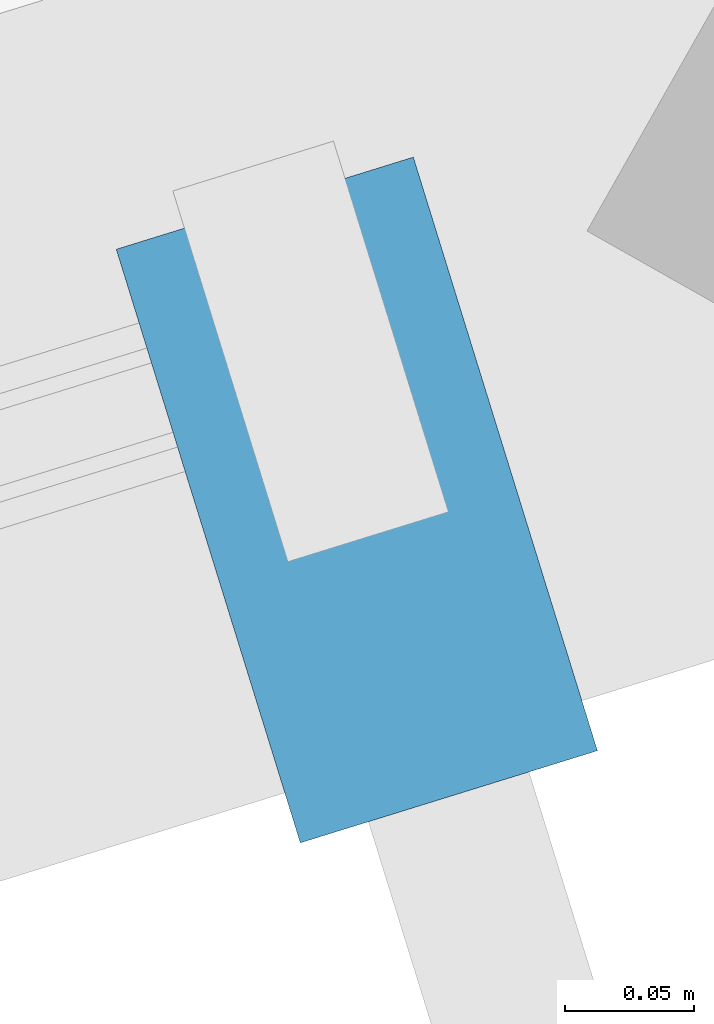
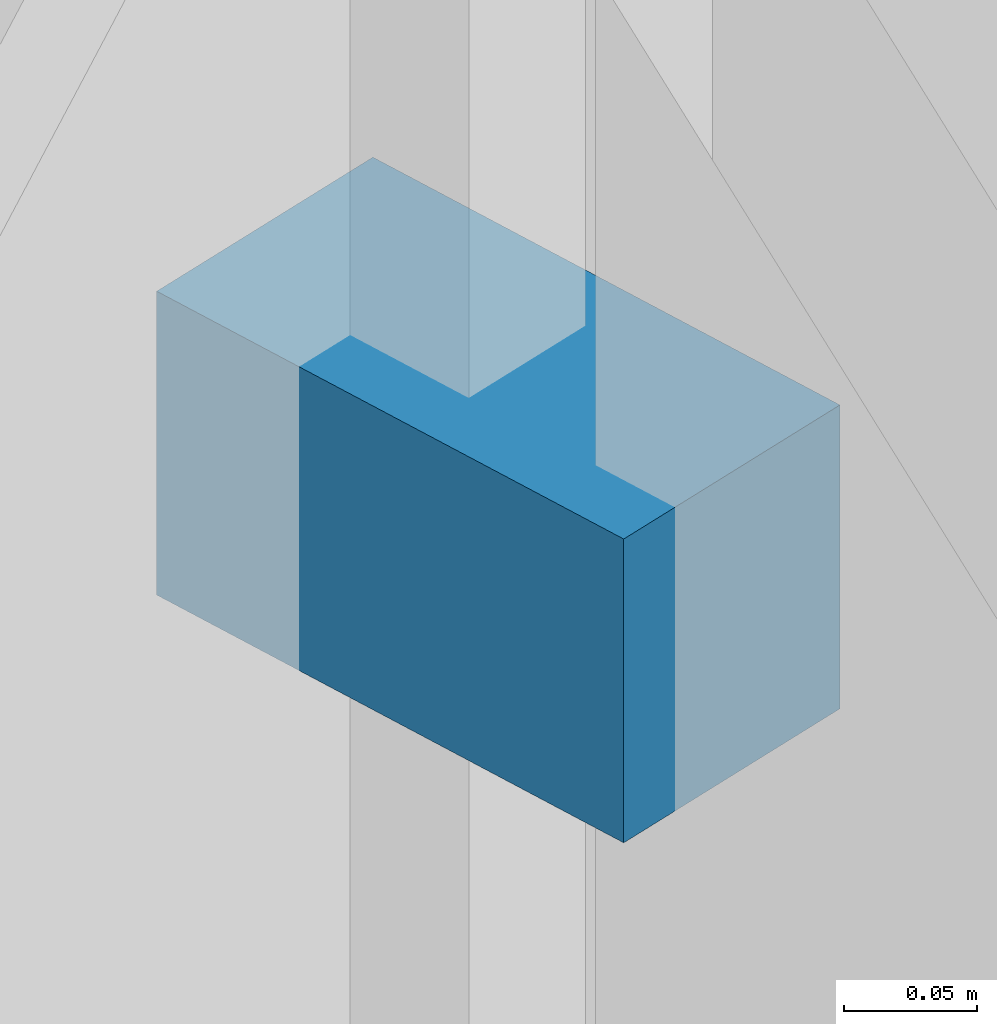
# One storey, part 119 of 142: 1 discrete accessory.
"""IFC4 building model written with IfcOpenShell, lengths in metres."""

from ifc_helpers import new_model, si_unit, direction, frame, origin, origin_2d, place, context, subcontext, project, spatial, rectangle, extrude, material, type_object, element, save


model = new_model("IFC4")

# Units and contexts
model_context = context("Model", 3, precision=1e-05, world=origin(), true_north=direction((0.0, 1.0)))
body_context = subcontext(model_context, "Body", "Model", "MODEL_VIEW")
ifc_project = project(units=[si_unit("LENGTHUNIT", "METRE"), si_unit("AREAUNIT", "SQUARE_METRE"), si_unit("VOLUMEUNIT", "CUBIC_METRE"), si_unit("PLANEANGLEUNIT", "RADIAN"), si_unit("MASSUNIT", "GRAM", prefix="KILO")], contexts=[model_context])

# Site, building, storey
site_placement = place(None, origin())
site = spatial("IfcSite", under=ifc_project, at=site_placement, CompositionType="ELEMENT")
building_placement = place(site_placement, origin())
building = spatial("IfcBuilding", under=site, at=building_placement, Name="Corvandel Quay Wholesale Market", CompositionType="ELEMENT")
storey_placement = place(building_placement, frame((0.0, 0.0, 10.800048828125)))
storey = spatial("IfcBuildingStorey", under=building, at=storey_placement, Name="L02", CompositionType="ELEMENT", Elevation=10.800048828125)

# Discrete accessory
ifc_material = material(Name="Austenitic stainless steel Grade 316", Category="steel")
discrete_accessory_type = type_object("IfcDiscreteAccessoryType", Name="Stainless Solar Fin Fixing Bracket BRK01", PredefinedType="USERDEFINED", material=ifc_material)
discrete_accessory_placement = place(storey_placement, frame((149.2001953125, 95.586669921875, 1.68017578125), z_axis=(0.0, 0.0, 1.0), x_axis=(-0.296208192067, 0.955123398809, 0.0)))
element("IfcDiscreteAccessory", 1, at=discrete_accessory_placement, inside=storey, type_object=discrete_accessory_type, Name="Fin Bracket 0560", ObjectType="BRACKET", PredefinedType="USERDEFINED", context=body_context, shape_type="SweptSolid", body=[
    extrude(rectangle(XDim=0.239990234375, YDim=0.1201171875, at=origin_2d()), origin(), (0.0, 0.0, 1.0), 0.139892578125),
])

save(model, "model.ifc")
